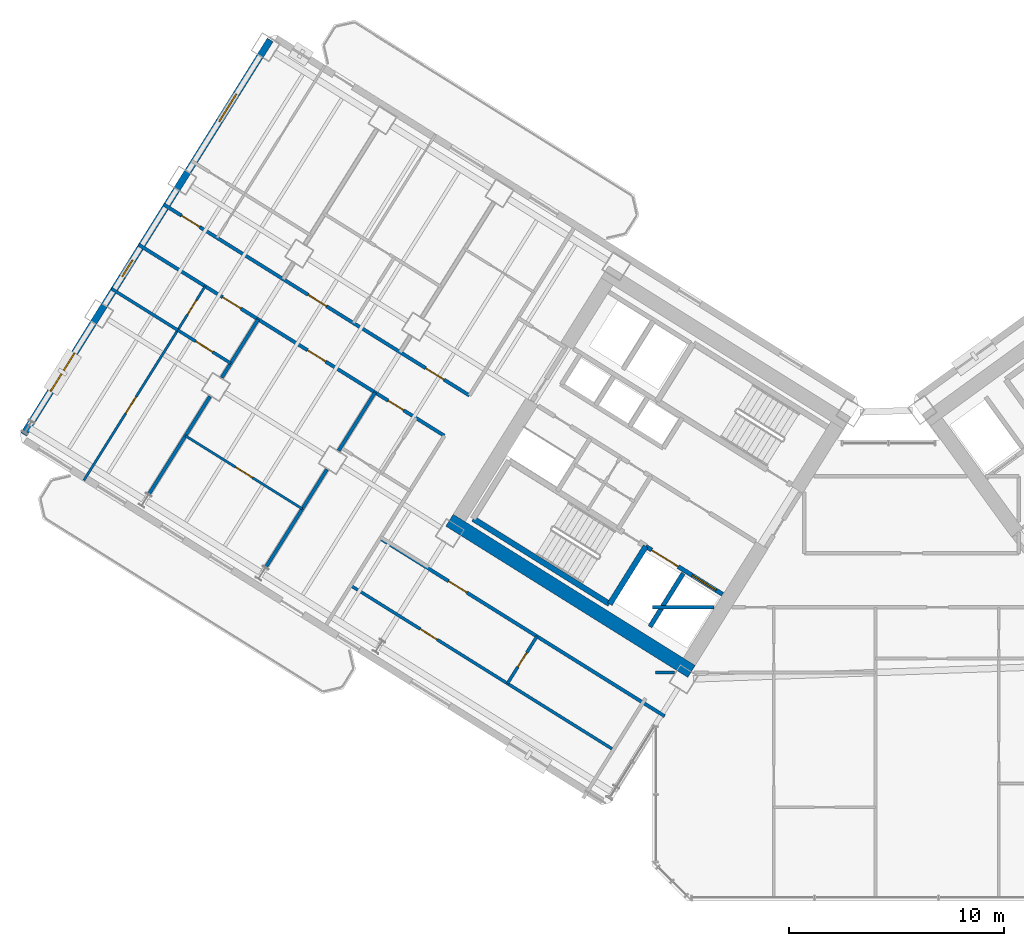
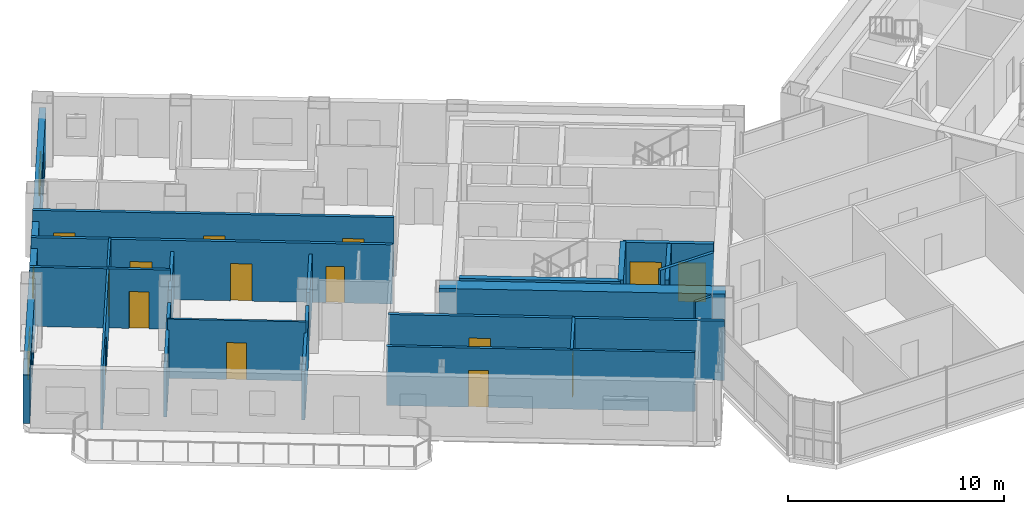
# One storey, part 15 of 25: 21 walls, 15 doors, 3 windows, 18 openings.
"""IFC4 building model written with IfcOpenShell, lengths in metres."""

from ifc_helpers import new_model, si_unit, direction, frame, frame_2d, origin, place, context, subcontext, project, spatial, rectangle, extrude, source, transform, mapped, material, layer, layer_set, type_object, element, fill, save


model = new_model("IFC4")

# Units and contexts
model_context = context("Model", 3, precision=1e-05, world=origin(), true_north=direction((0.0, 1.0)))
body_context = subcontext(model_context, "Body", "Model", "MODEL_VIEW")
ifc_project = project(units=[si_unit("LENGTHUNIT", "METRE"), si_unit("AREAUNIT", "SQUARE_METRE"), si_unit("VOLUMEUNIT", "CUBIC_METRE"), si_unit("PLANEANGLEUNIT", "RADIAN"), si_unit("MASSUNIT", "GRAM", prefix="KILO")], contexts=[model_context])

# Site, building, storey
site_placement = place(None, origin())
site = spatial("IfcSite", under=ifc_project, at=site_placement, CompositionType="ELEMENT")
building_placement = place(site_placement, origin())
building = spatial("IfcBuilding", under=site, at=building_placement, Name="Tlacorven Tower", CompositionType="ELEMENT")
storey_placement = place(building_placement, frame((0.0, 0.0, 52.800048828125)))
storey = spatial("IfcBuildingStorey", under=building, at=storey_placement, Name="L13", CompositionType="ELEMENT", Elevation=52.800048828125)

# Wall
ifc_material_1 = material(Name="Concrete C60/75", Category="concrete")
ifc_layer_1 = layer(ifc_material_1, 0.64990234375)
ifc_layer_set_1 = layer_set([ifc_layer_1], Name="Concrete C60/75")
wall_type_1 = type_object("IfcWallType", Name="WL-COR-650", PredefinedType="SHEAR", material=ifc_layer_set_1)
wall_1_placement = place(storey_placement, frame((33.40869140625, 12.449951171875, 0.0), z_axis=(0.0, 0.0, 1.0), x_axis=(-0.848051132073, 0.529914405721, 0.0)))
element("IfcWall", 1, at=wall_1_placement, inside=storey, type_object=wall_type_1, Name="L13 W core shear wall S2", PredefinedType="SHEAR", context=body_context, shape_type="SweptSolid", body=[
    extrude(rectangle(XDim=13.239990234375, YDim=0.64990234375, at=frame_2d((6.6201171875, 0.0))), origin(), (0.0, 0.0, 1.0), 3.349853515625),
])

# Wall, openings, doors
ifc_material_2 = material(Name="Gypsum plasterboard acoustic partition", Category="gypsum")
ifc_layer_2 = layer(ifc_material_2, 0.159912109375)
ifc_layer_set_2 = layer_set([ifc_layer_2], Name="Gypsum plasterboard acoustic partition")
wall_type_2 = type_object("IfcWallType", Name="WL-DEM-160", PredefinedType="PARTITIONING", material=ifc_layer_set_2)
wall_2_placement = place(storey_placement, frame((23.104248046875, 25.25634765625, 0.0), z_axis=(0.0, 0.0, 1.0), x_axis=(-0.848041752158, 0.529929416617, 0.0)))
wall_2 = element("IfcWall", 2, at=wall_2_placement, inside=storey, type_object=wall_type_2, Name="L13 Wing W Corridor South Wall", PredefinedType="PARTITIONING", context=body_context, shape_type="SweptSolid", body=[
    extrude(rectangle(XDim=16.72998046875, YDim=0.159912109375, at=frame_2d((8.364990234375, 0.0))), origin(), (0.0, 0.0, 1.0), 3.33984375),
])
opening_1_placement = place(wall_2_placement, frame((1.39501953125, 0.0, 0.0)))
opening_1 = element("IfcOpeningElement", 3, at=opening_1_placement, cuts=wall_2, Name="Opening D11", PredefinedType="OPENING", context=body_context, shape_type="SweptSolid", body=[
    extrude(rectangle(XDim=1.0, YDim=2.10009765625, at=frame_2d((0.5, 1.050048828125))), frame((0.0, 0.08984375, 0.0), z_axis=(0.0, -1.0, 0.0), x_axis=(1.0, 0.0, 0.0)), (0.0, 0.0, 1.0), 0.179931640625),
])
opening_2_placement = place(wall_2_placement, frame((7.820068359375, 0.0, 0.0)))
opening_2 = element("IfcOpeningElement", 4, at=opening_2_placement, cuts=wall_2, Name="Opening D11", PredefinedType="OPENING", context=body_context, shape_type="SweptSolid", body=[
    extrude(rectangle(XDim=1.0, YDim=2.10009765625, at=frame_2d((0.5, 1.050048828125))), frame((0.0, 0.08984375, 0.0), z_axis=(0.0, -1.0, 0.0), x_axis=(1.0, 0.0, 0.0)), (0.0, 0.0, 1.0), 0.179931640625),
])
opening_3_placement = place(wall_2_placement, frame((14.760009765625, 0.0, 0.0)))
opening_3 = element("IfcOpeningElement", 5, at=opening_3_placement, cuts=wall_2, Name="Opening D11", PredefinedType="OPENING", context=body_context, shape_type="SweptSolid", body=[
    extrude(rectangle(XDim=1.0, YDim=2.10009765625, at=frame_2d((0.5, 1.050048828125))), frame((0.0, 0.08984375, 0.0), z_axis=(0.0, -1.0, 0.0), x_axis=(1.0, 0.0, 0.0)), (0.0, 0.0, 1.0), 0.179931640625),
])
ifc_material_3 = material(Name="Fire-rated steel door assembly", Category="steel")
door_type_1 = type_object("IfcDoorType", Name="DR-FLT-FD60-1000", OperationType="NOTDEFINED", PredefinedType="DOOR", material=ifc_material_3)
shared_shape_1 = source(origin(), body_context, "Body", "SweptSolid", [
    extrude(rectangle(XDim=1.0, YDim=2.10009765625, at=frame_2d((0.5, 1.050048828125))), frame((0.0, 0.02490234375, 0.0), z_axis=(0.0, -1.0, 0.0), x_axis=(1.0, 0.0, 0.0)), (0.0, 0.0, 1.0), 0.050048828125),
])
door_1_placement = place(opening_1_placement, origin())
door_1 = element("IfcDoor", 6, at=door_1_placement, inside=storey, type_object=door_type_1, Name="L13 door 033", OperationType="SINGLE_SWING_RIGHT", OverallHeight=2.10009765625, OverallWidth=1.0, PredefinedType="DOOR", context=body_context, shape_type="MappedRepresentation", body=[
    mapped(shared_shape_1, transform((0.0, 0.0, 0.0), scale=1.0)),
])
fill(opening_1, door_1)
door_2_placement = place(opening_2_placement, origin())
door_2 = element("IfcDoor", 7, at=door_2_placement, inside=storey, type_object=door_type_1, Name="L13 door 036", OperationType="SINGLE_SWING_LEFT", OverallHeight=2.10009765625, OverallWidth=1.0, PredefinedType="DOOR", context=body_context, shape_type="MappedRepresentation", body=[
    mapped(shared_shape_1, transform((0.0, 0.0, 0.0), scale=1.0)),
])
fill(opening_2, door_2)
door_3_placement = place(opening_3_placement, origin())
door_3 = element("IfcDoor", 8, at=door_3_placement, inside=storey, type_object=door_type_1, Name="L13 door 040", OperationType="SINGLE_SWING_LEFT", OverallHeight=2.10009765625, OverallWidth=1.0, PredefinedType="DOOR", context=body_context, shape_type="MappedRepresentation", body=[
    mapped(shared_shape_1, transform((0.0, 0.0, 0.0), scale=1.0)),
])
fill(opening_3, door_3)

wall_3_placement = place(storey_placement, frame((21.9384765625, 23.390625, 0.0), z_axis=(0.0, 0.0, 1.0), x_axis=(-0.848045850158, 0.529922858565, 0.0)))
wall_3 = element("IfcWall", 9, at=wall_3_placement, inside=storey, type_object=wall_type_2, Name="L13 Wing W Corridor North Wall", PredefinedType="PARTITIONING", context=body_context, shape_type="SweptSolid", body=[
    extrude(rectangle(XDim=16.730224609375, YDim=0.159912109375, at=frame_2d((8.365234375, 0.0))), origin(), (0.0, 0.0, 1.0), 3.33984375),
])
opening_4_placement = place(wall_3_placement, frame((2.219970703125, 0.0, 0.0)))
opening_4 = element("IfcOpeningElement", 10, at=opening_4_placement, cuts=wall_3, Name="Opening D19", PredefinedType="OPENING", context=body_context, shape_type="SweptSolid", body=[
    extrude(rectangle(XDim=0.860107421875, YDim=2.050048828125, at=frame_2d((0.43017578125, 1.02490234375))), frame((0.0, 0.08984375, 0.0), z_axis=(0.0, -1.0, 0.0), x_axis=(1.0, 0.0, 0.0)), (0.0, 0.0, 1.0), 0.179931640625),
])
opening_5_placement = place(wall_3_placement, frame((6.489990234375, 0.0, 0.0)))
opening_5 = element("IfcOpeningElement", 11, at=opening_5_placement, cuts=wall_3, Name="Opening D11", PredefinedType="OPENING", context=body_context, shape_type="SweptSolid", body=[
    extrude(rectangle(XDim=1.0, YDim=2.10009765625, at=frame_2d((0.5, 1.050048828125))), frame((0.0, 0.08984375, 0.0), z_axis=(0.0, -1.0, 0.0), x_axis=(1.0, 0.0, 0.0)), (0.0, 0.0, 1.0), 0.179931640625),
])
opening_6_placement = place(wall_3_placement, frame((11.139892578125, 0.0, 0.0)))
opening_6 = element("IfcOpeningElement", 12, at=opening_6_placement, cuts=wall_3, Name="Opening D11", PredefinedType="OPENING", context=body_context, shape_type="SweptSolid", body=[
    extrude(rectangle(XDim=1.0, YDim=2.10009765625, at=frame_2d((0.5, 1.050048828125))), frame((0.0, 0.08984375, 0.0), z_axis=(0.0, -1.0, 0.0), x_axis=(1.0, 0.0, 0.0)), (0.0, 0.0, 1.0), 0.179931640625),
])
door_type_2 = type_object("IfcDoorType", Name="DR-RSR-FD60-0860", OperationType="NOTDEFINED", PredefinedType="DOOR", material=ifc_material_3)
shared_shape_2 = source(origin(), body_context, "Body", "SweptSolid", [
    extrude(rectangle(XDim=0.860107421875, YDim=2.050048828125, at=frame_2d((0.43017578125, 1.02490234375))), frame((0.0, 0.02490234375, 0.0), z_axis=(0.0, -1.0, 0.0), x_axis=(1.0, 0.0, 0.0)), (0.0, 0.0, 1.0), 0.050048828125),
])
door_4_placement = place(opening_4_placement, origin())
door_4 = element("IfcDoor", 13, at=door_4_placement, inside=storey, type_object=door_type_2, Name="L13 door 023", OperationType="SINGLE_SWING_RIGHT", OverallHeight=2.050048828125, OverallWidth=0.860107421875, PredefinedType="DOOR", context=body_context, shape_type="MappedRepresentation", body=[
    mapped(shared_shape_2, transform((0.0, 0.0, 0.0), scale=1.0)),
])
fill(opening_4, door_4)
door_5_placement = place(opening_5_placement, origin())
door_5 = element("IfcDoor", 14, at=door_5_placement, inside=storey, type_object=door_type_1, Name="L13 door 026", OperationType="SINGLE_SWING_LEFT", OverallHeight=2.10009765625, OverallWidth=1.0, PredefinedType="DOOR", context=body_context, shape_type="MappedRepresentation", body=[
    mapped(shared_shape_1, transform((0.0, 0.0, 0.0), scale=1.0)),
])
fill(opening_5, door_5)
door_6_placement = place(opening_6_placement, origin())
door_6 = element("IfcDoor", 15, at=door_6_placement, inside=storey, type_object=door_type_1, Name="L13 door 029", OperationType="SINGLE_SWING_RIGHT", OverallHeight=2.10009765625, OverallWidth=1.0, PredefinedType="DOOR", context=body_context, shape_type="MappedRepresentation", body=[
    mapped(shared_shape_1, transform((0.0, 0.0, 0.0), scale=1.0)),
])
fill(opening_6, door_6)

# Walls
wall_4_placement = place(storey_placement, frame((18.724365234375, 25.399169921875, 0.0), z_axis=(0.0, 0.0, 1.0), x_axis=(-0.529930102756, -0.848041323399, 0.0)))
element("IfcWall", 16, at=wall_4_placement, inside=storey, type_object=wall_type_2, Name="L13 WN Demising Wall 1", PredefinedType="PARTITIONING", context=body_context, shape_type="SweptSolid", body=[
    extrude(rectangle(XDim=3.18798828125, YDim=0.159912109375, at=frame_2d((1.593994140625, 0.0))), origin(), (0.0, 0.0, 1.0), 2.724853515625),
])
wall_5_placement = place(storey_placement, frame((16.4921875, 21.8271484375, 0.0), z_axis=(0.0, 0.0, 1.0), x_axis=(-0.529904608059, -0.848057254175, 0.0)))
element("IfcWall", 17, at=wall_5_placement, inside=storey, type_object=wall_type_2, Name="L13 WN Demising Wall 1", PredefinedType="PARTITIONING", context=body_context, shape_type="SweptSolid", body=[
    extrude(rectangle(XDim=5.350830078125, YDim=0.159912109375, at=frame_2d((2.67529296875, 0.0))), origin(), (0.0, 0.0, 1.0), 2.724853515625),
])
wall_6_placement = place(storey_placement, frame((13.296875, 28.79052734375, 0.0), z_axis=(0.0, 0.0, 1.0), x_axis=(-0.529930102756, -0.848041323399, 0.0)))
element("IfcWall", 18, at=wall_6_placement, inside=storey, type_object=wall_type_2, Name="L13 WN Demising Wall 2", PredefinedType="PARTITIONING", context=body_context, shape_type="SweptSolid", body=[
    extrude(rectangle(XDim=3.18798828125, YDim=0.159912109375, at=frame_2d((1.593994140625, 0.0))), origin(), (0.0, 0.0, 1.0), 2.724853515625),
])
wall_7_placement = place(storey_placement, frame((11.064697265625, 25.218505859375, 0.0), z_axis=(0.0, 0.0, 1.0), x_axis=(-0.529904608059, -0.848057254175, 0.0)))
element("IfcWall", 19, at=wall_7_placement, inside=storey, type_object=wall_type_2, Name="L13 WN Demising Wall 2", PredefinedType="PARTITIONING", context=body_context, shape_type="SweptSolid", body=[
    extrude(rectangle(XDim=5.350830078125, YDim=0.159912109375, at=frame_2d((2.67529296875, 0.0))), origin(), (0.0, 0.0, 1.0), 2.724853515625),
])

# Wall, opening, door
wall_8_placement = place(storey_placement, frame((32.164306640625, 10.373779296875, 0.0), z_axis=(0.0, 0.0, 1.0), x_axis=(-0.848044107957, 0.529925646633, 0.0)))
wall_8 = element("IfcWall", 20, at=wall_8_placement, inside=storey, type_object=wall_type_2, Name="L13 partition 75", PredefinedType="PARTITIONING", context=body_context, shape_type="SweptSolid", body=[
    extrude(rectangle(XDim=15.570068359375, YDim=0.159912109375, at=frame_2d((7.78515625, 0.0))), origin(), (0.0, 0.0, 1.0), 3.33984375),
])
opening_7_placement = place(wall_8_placement, frame((10.830078125, 0.0, 0.0)))
opening_7 = element("IfcOpeningElement", 21, at=opening_7_placement, cuts=wall_8, Name="Opening D11", PredefinedType="OPENING", context=body_context, shape_type="SweptSolid", body=[
    extrude(rectangle(XDim=1.0, YDim=2.10009765625, at=frame_2d((0.5, 1.050048828125))), frame((0.0, 0.08984375, 0.0), z_axis=(0.0, -1.0, 0.0), x_axis=(1.0, 0.0, 0.0)), (0.0, 0.0, 1.0), 0.179931640625),
])
door_7_placement = place(opening_7_placement, origin())
door_7 = element("IfcDoor", 22, at=door_7_placement, inside=storey, type_object=door_type_1, Name="L13 door 044", OperationType="SINGLE_SWING_LEFT", OverallHeight=2.10009765625, OverallWidth=1.0, PredefinedType="DOOR", context=body_context, shape_type="MappedRepresentation", body=[
    mapped(shared_shape_1, transform((0.0, 0.0, 0.0), scale=1.0)),
])
fill(opening_7, door_7)

# Wall
wall_9_placement = place(storey_placement, frame((31.60009765625, 15.419921875, 0.0), z_axis=(0.0, 0.0, 1.0), x_axis=(1.0, 0.0, 0.0)))
element("IfcWall", 23, at=wall_9_placement, inside=storey, type_object=wall_type_2, Name="L13 Knuckle Corridor South Wall", PredefinedType="PARTITIONING", context=body_context, shape_type="SweptSolid", body=[
    extrude(rectangle(XDim=2.8662109375, YDim=0.159912109375, at=frame_2d((1.43310546875, 0.0))), origin(), (0.0, 0.0, 1.0), 3.33984375),
])

# Wall, openings, windows
ifc_material_4 = material(Name="Precast concrete C45/55", Category="concrete")
ifc_layer_3 = layer(ifc_material_4, 0.320068359375)
ifc_layer_set_3 = layer_set([ifc_layer_3], Name="Precast concrete C45/55")
wall_type_3 = type_object("IfcWallType", Name="WL-EXT-320", PredefinedType="STANDARD", material=ifc_layer_set_3)
wall_10_placement = place(storey_placement, frame((2.41455078125, 23.452392578125, 0.0), z_axis=(0.0, 0.0, 1.0), x_axis=(0.52991049553, 0.848053575387, 0.0)))
wall_10 = element("IfcWall", 24, at=wall_10_placement, inside=storey, type_object=wall_type_3, Name="L13 Masonry-Frame Recessed Facade Wall 2", PredefinedType="STANDARD", context=body_context, shape_type="SweptSolid", body=[
    extrude(rectangle(XDim=21.58740234375, YDim=0.320068359375, at=frame_2d((10.793701171875, 0.0))), origin(), (0.0, 0.0, 1.0), 2.724853515625),
])
opening_8_placement = place(wall_10_placement, frame((2.356201171875, 0.0, 0.800048828125)))
opening_8 = element("IfcOpeningElement", 25, at=opening_8_placement, cuts=wall_10, Name="Opening WN04", PredefinedType="OPENING", context=body_context, shape_type="SweptSolid", body=[
    extrude(rectangle(XDim=2.10009765625, YDim=1.550048828125, at=frame_2d((1.050048828125, 0.77490234375))), frame((0.0, 0.169921875, 0.0), z_axis=(0.0, -1.0, 0.0), x_axis=(1.0, 0.0, 0.0)), (0.0, 0.0, 1.0), 0.340087890625),
])
opening_9_placement = place(wall_10_placement, frame((8.638671875, 0.0, 1.0)))
opening_9 = element("IfcOpeningElement", 26, at=opening_9_placement, cuts=wall_10, Name="Opening WN05", PredefinedType="OPENING", context=body_context, shape_type="SweptSolid", body=[
    extrude(rectangle(XDim=0.89990234375, YDim=1.25, at=frame_2d((0.449951171875, 0.625))), frame((0.0, 0.169921875, 0.0), z_axis=(0.0, -1.0, 0.0), x_axis=(1.0, 0.0, 0.0)), (0.0, 0.0, 1.0), 0.340087890625),
])
opening_10_placement = place(wall_10_placement, frame((17.128662109375, 0.0, 0.85009765625)))
opening_10 = element("IfcOpeningElement", 27, at=opening_10_placement, cuts=wall_10, Name="Opening WN02", PredefinedType="OPENING", context=body_context, shape_type="SweptSolid", body=[
    extrude(rectangle(XDim=1.5, YDim=1.5, at=frame_2d((0.75, 0.75))), frame((0.0, 0.169921875, 0.0), z_axis=(0.0, -1.0, 0.0), x_axis=(1.0, 0.0, 0.0)), (0.0, 0.0, 1.0), 0.340087890625),
])
ifc_material_5 = material(Name="Dark solar low-E double glazing in anodised aluminium frame", Category="aluminium")
window_type_1 = type_object("IfcWindowType", Name="WN-APT-2100X1750", PartitioningType="SINGLE_PANEL", PredefinedType="WINDOW", material=ifc_material_5)
shared_shape_3 = source(origin(), body_context, "Body", "SweptSolid", [
    extrude(rectangle(XDim=2.10009765625, YDim=1.550048828125, at=frame_2d((1.050048828125, 0.77490234375))), frame((0.0, 0.030029296875, 0.0), z_axis=(0.0, -1.0, 0.0), x_axis=(1.0, 0.0, 0.0)), (0.0, 0.0, 1.0), 0.06005859375),
])
window_1_placement = place(opening_8_placement, origin())
window_1 = element("IfcWindow", 28, at=window_1_placement, inside=storey, type_object=window_type_1, Name="L13 Recessed Masonry-Frame Window L13-02.1", OverallHeight=1.550048828125, OverallWidth=2.10009765625, PartitioningType="SINGLE_PANEL", PredefinedType="WINDOW", context=body_context, shape_type="MappedRepresentation", body=[
    mapped(shared_shape_3, transform((0.0, 0.0, 0.0), scale=1.0)),
])
fill(opening_8, window_1)
window_type_2 = type_object("IfcWindowType", Name="WN-APT-1500X1650", PartitioningType="SINGLE_PANEL", PredefinedType="WINDOW", material=ifc_material_5)
shared_shape_4 = source(origin(), body_context, "Body", "SweptSolid", [
    extrude(rectangle(XDim=1.5, YDim=1.5, at=frame_2d((0.75, 0.75))), frame((0.0, 0.030029296875, 0.0), z_axis=(0.0, -1.0, 0.0), x_axis=(1.0, 0.0, 0.0)), (0.0, 0.0, 1.0), 0.06005859375),
])
window_2_placement = place(opening_10_placement, origin())
window_2 = element("IfcWindow", 29, at=window_2_placement, inside=storey, type_object=window_type_2, Name="L13 Recessed Masonry-Frame Window L13-02.3", OverallHeight=1.5, OverallWidth=1.5, PartitioningType="SINGLE_PANEL", PredefinedType="WINDOW", context=body_context, shape_type="MappedRepresentation", body=[
    mapped(shared_shape_4, transform((0.0, 0.0, 0.0), scale=1.0)),
])
fill(opening_10, window_2)
window_type_3 = type_object("IfcWindowType", Name="WN-APT-0900X1350", PartitioningType="SINGLE_PANEL", PredefinedType="WINDOW", material=ifc_material_5)
shared_shape_5 = source(origin(), body_context, "Body", "SweptSolid", [
    extrude(rectangle(XDim=0.89990234375, YDim=1.25, at=frame_2d((0.449951171875, 0.625))), frame((0.0, 0.030029296875, 0.0), z_axis=(0.0, -1.0, 0.0), x_axis=(1.0, 0.0, 0.0)), (0.0, 0.0, 1.0), 0.06005859375),
])
window_3_placement = place(opening_9_placement, origin())
window_3 = element("IfcWindow", 30, at=window_3_placement, inside=storey, type_object=window_type_3, Name="L13 Recessed Masonry-Frame Window L13-02.2", OverallHeight=1.25, OverallWidth=0.89990234375, PartitioningType="SINGLE_PANEL", PredefinedType="WINDOW", context=body_context, shape_type="MappedRepresentation", body=[
    mapped(shared_shape_5, transform((0.0, 0.0, 0.0), scale=1.0)),
])
fill(opening_9, window_3)

# Wall, opening, door
ifc_material_6 = material(Name="Gypsum plasterboard partition", Category="gypsum")
ifc_layer_4 = layer(ifc_material_6, 0.110107421875)
ifc_layer_set_4 = layer_set([ifc_layer_4], Name="Gypsum plasterboard partition")
wall_type_4 = type_object("IfcWallType", Name="WL-INT-110", PredefinedType="PARTITIONING", material=ifc_layer_set_4)
wall_11_placement = place(storey_placement, frame((15.34765625, 19.995361328125, 0.0), z_axis=(0.0, 0.0, 1.0), x_axis=(-0.848056163074, 0.529906354247, 0.0)))
wall_11 = element("IfcWall", 31, at=wall_11_placement, inside=storey, type_object=wall_type_4, Name="L13 partition 60", PredefinedType="PARTITIONING", context=body_context, shape_type="SweptSolid", body=[
    extrude(rectangle(XDim=6.39990234375, YDim=0.110107421875, at=frame_2d((3.199951171875, 0.0))), origin(), (0.0, 0.0, 1.0), 3.33984375),
])
opening_11_placement = place(wall_11_placement, frame((2.739990234375, 0.0, 0.0)))
opening_11 = element("IfcOpeningElement", 32, at=opening_11_placement, cuts=wall_11, Name="Opening D12", PredefinedType="OPENING", context=body_context, shape_type="SweptSolid", body=[
    extrude(rectangle(XDim=0.919921875, YDim=2.080078125, at=frame_2d((0.4599609375, 1.0400390625))), frame((0.0, 0.06494140625, 0.0), z_axis=(0.0, -1.0, 0.0), x_axis=(1.0, 0.0, 0.0)), (0.0, 0.0, 1.0), 0.130126953125),
])
ifc_material_7 = material(Name="Powder-coated aluminium and timber door", Category="wood")
door_type_3 = type_object("IfcDoorType", Name="DR-INT-ROOM-0920", OperationType="NOTDEFINED", PredefinedType="DOOR", material=ifc_material_7)
shared_shape_6 = source(origin(), body_context, "Body", "SweptSolid", [
    extrude(rectangle(XDim=0.919921875, YDim=2.080078125, at=frame_2d((0.4599609375, 1.0400390625))), frame((0.0, 0.02490234375, 0.0), z_axis=(0.0, -1.0, 0.0), x_axis=(1.0, 0.0, 0.0)), (0.0, 0.0, 1.0), 0.050048828125),
])
door_8_placement = place(opening_11_placement, origin())
door_8 = element("IfcDoor", 33, at=door_8_placement, inside=storey, type_object=door_type_3, Name="L13 door 027", OperationType="SINGLE_SWING_RIGHT", OverallHeight=2.080078125, OverallWidth=0.919921875, PredefinedType="DOOR", context=body_context, shape_type="MappedRepresentation", body=[
    mapped(shared_shape_6, transform((0.0, 0.0, 0.0), scale=1.0)),
])
fill(opening_11, door_8)

# Wall, openings, doors
wall_12_placement = place(storey_placement, frame((10.83740234375, 30.327392578125, 0.0), z_axis=(0.0, 0.0, 1.0), x_axis=(-0.529912148489, -0.848052542525, 0.0)))
wall_12 = element("IfcWall", 34, at=wall_12_placement, inside=storey, type_object=wall_type_4, Name="L13 partition 61", PredefinedType="PARTITIONING", context=body_context, shape_type="SweptSolid", body=[
    extrude(rectangle(XDim=10.6201171875, YDim=0.110107421875, at=frame_2d((5.31005859375, 0.0))), origin(), (0.0, 0.0, 1.0), 3.33984375),
])
opening_12_placement = place(wall_12_placement, frame((0.760009765625, 0.0, 0.0)))
opening_12 = element("IfcOpeningElement", 35, at=opening_12_placement, cuts=wall_12, Name="Opening D22", PredefinedType="OPENING", context=body_context, shape_type="SweptSolid", body=[
    extrude(rectangle(XDim=0.780029296875, YDim=2.050048828125, at=frame_2d((0.39013671875, 1.02490234375))), frame((0.0, 0.06494140625, 0.0), z_axis=(0.0, -1.0, 0.0), x_axis=(1.0, 0.0, 0.0)), (0.0, 0.0, 1.0), 0.130126953125),
])
opening_13_placement = place(wall_12_placement, frame((6.050048828125, 0.0, 0.0)))
opening_13 = element("IfcOpeningElement", 36, at=opening_13_placement, cuts=wall_12, Name="Opening D12", PredefinedType="OPENING", context=body_context, shape_type="SweptSolid", body=[
    extrude(rectangle(XDim=0.919921875, YDim=2.080078125, at=frame_2d((0.4599609375, 1.0400390625))), frame((0.0, 0.06494140625, 0.0), z_axis=(0.0, -1.0, 0.0), x_axis=(1.0, 0.0, 0.0)), (0.0, 0.0, 1.0), 0.130126953125),
])
door_type_4 = type_object("IfcDoorType", Name="DR-INT-WET-0780", OperationType="NOTDEFINED", PredefinedType="DOOR", material=ifc_material_7)
shared_shape_7 = source(origin(), body_context, "Body", "SweptSolid", [
    extrude(rectangle(XDim=0.780029296875, YDim=2.050048828125, at=frame_2d((0.39013671875, 1.02490234375))), frame((0.0, 0.02490234375, 0.0), z_axis=(0.0, -1.0, 0.0), x_axis=(1.0, 0.0, 0.0)), (0.0, 0.0, 1.0), 0.050048828125),
])
door_9_placement = place(opening_12_placement, origin())
door_9 = element("IfcDoor", 37, at=door_9_placement, inside=storey, type_object=door_type_4, Name="L13 door 031", OperationType="SINGLE_SWING_RIGHT", OverallHeight=2.050048828125, OverallWidth=0.780029296875, PredefinedType="DOOR", context=body_context, shape_type="MappedRepresentation", body=[
    mapped(shared_shape_7, transform((0.0, 0.0, 0.0), scale=1.0)),
])
fill(opening_12, door_9)
door_10_placement = place(opening_13_placement, origin())
door_10 = element("IfcDoor", 38, at=door_10_placement, inside=storey, type_object=door_type_3, Name="L13 door 032", OperationType="SINGLE_SWING_LEFT", OverallHeight=2.080078125, OverallWidth=0.919921875, PredefinedType="DOOR", context=body_context, shape_type="MappedRepresentation", body=[
    mapped(shared_shape_6, transform((0.0, 0.0, 0.0), scale=1.0)),
])
fill(opening_13, door_10)

# Wall, opening, door
ifc_material_8 = material(Name="Moisture-resistant gypsum plumbing wall", Category="gypsum")
ifc_layer_5 = layer(ifc_material_8, 0.139892578125)
ifc_layer_set_5 = layer_set([ifc_layer_5], Name="Moisture-resistant gypsum plumbing wall")
wall_type_5 = type_object("IfcWallType", Name="WL-PLM-140", PredefinedType="PLUMBINGWALL", material=ifc_layer_set_5)
wall_13_placement = place(storey_placement, frame((12.02490234375, 26.75537109375, 0.0), z_axis=(0.0, 0.0, 1.0), x_axis=(-0.848059786386, 0.529900555496, 0.0)))
wall_13 = element("IfcWall", 39, at=wall_13_placement, inside=storey, type_object=wall_type_5, Name="L13 partition 63", PredefinedType="PLUMBINGWALL", context=body_context, shape_type="SweptSolid", body=[
    extrude(rectangle(XDim=2.89990234375, YDim=0.139892578125, at=frame_2d((1.449951171875, 0.0))), origin(), (0.0, 0.0, 1.0), 3.33984375),
])
opening_14_placement = place(wall_13_placement, frame((0.989990234375, 0.0, 0.0)))
opening_14 = element("IfcOpeningElement", 40, at=opening_14_placement, cuts=wall_13, Name="Opening D12", PredefinedType="OPENING", context=body_context, shape_type="SweptSolid", body=[
    extrude(rectangle(XDim=0.919921875, YDim=2.080078125, at=frame_2d((0.4599609375, 1.0400390625))), frame((0.0, 0.080078125, 0.0), z_axis=(0.0, -1.0, 0.0), x_axis=(1.0, 0.0, 0.0)), (0.0, 0.0, 1.0), 0.159912109375),
])
door_11_placement = place(opening_14_placement, origin())
door_11 = element("IfcDoor", 41, at=door_11_placement, inside=storey, type_object=door_type_3, Name="L13 door 030", OperationType="SINGLE_SWING_RIGHT", OverallHeight=2.080078125, OverallWidth=0.919921875, PredefinedType="DOOR", context=body_context, shape_type="MappedRepresentation", body=[
    mapped(shared_shape_6, transform((0.0, 0.0, 0.0), scale=1.0)),
])
fill(opening_14, door_11)

# Wall
wall_14_placement = place(storey_placement, frame((9.565673828125, 28.2919921875, 0.0), z_axis=(0.0, 0.0, 1.0), x_axis=(-0.848021036626, 0.529962566074, 0.0)))
element("IfcWall", 42, at=wall_14_placement, inside=storey, type_object=wall_type_5, Name="L13 partition 64", PredefinedType="PLUMBINGWALL", context=body_context, shape_type="SweptSolid", body=[
    extrude(rectangle(XDim=3.619873046875, YDim=0.139892578125, at=frame_2d((1.81005859375, 0.0))), origin(), (0.0, 0.0, 1.0), 3.33984375),
])

# Wall, opening, door
wall_15_placement = place(storey_placement, frame((29.72021484375, 8.85888671875, 0.0), z_axis=(0.0, 0.0, 1.0), x_axis=(-0.848049134363, 0.529917602752, 0.0)))
wall_15 = element("IfcWall", 43, at=wall_15_placement, inside=storey, type_object=wall_type_5, Name="L13 partition 77", PredefinedType="PLUMBINGWALL", context=body_context, shape_type="SweptSolid", body=[
    extrude(rectangle(XDim=14.300048828125, YDim=0.139892578125, at=frame_2d((7.14990234375, 0.0))), origin(), (0.0, 0.0, 1.0), 3.33984375),
])
opening_15_placement = place(wall_15_placement, frame((9.570068359375, 0.0, 0.0)))
opening_15 = element("IfcOpeningElement", 44, at=opening_15_placement, cuts=wall_15, Name="Opening D12", PredefinedType="OPENING", context=body_context, shape_type="SweptSolid", body=[
    extrude(rectangle(XDim=0.919921875, YDim=2.080078125, at=frame_2d((0.4599609375, 1.0400390625))), frame((0.0, 0.080078125, 0.0), z_axis=(0.0, -1.0, 0.0), x_axis=(1.0, 0.0, 0.0)), (0.0, 0.0, 1.0), 0.159912109375),
])
door_12_placement = place(opening_15_placement, origin())
door_12 = element("IfcDoor", 45, at=door_12_placement, inside=storey, type_object=door_type_3, Name="L13 door 045", OperationType="SINGLE_SWING_RIGHT", OverallHeight=2.080078125, OverallWidth=0.919921875, PredefinedType="DOOR", context=body_context, shape_type="MappedRepresentation", body=[
    mapped(shared_shape_6, transform((0.0, 0.0, 0.0), scale=1.0)),
])
fill(opening_15, door_12)

wall_16_placement = place(storey_placement, frame((26.236572265625, 14.077880859375, 0.0), z_axis=(0.0, 0.0, 1.0), x_axis=(-0.52995640672, -0.848024885824, 0.0)))
wall_16 = element("IfcWall", 46, at=wall_16_placement, inside=storey, type_object=wall_type_5, Name="L13 partition 78", PredefinedType="PLUMBINGWALL", context=body_context, shape_type="SweptSolid", body=[
    extrude(rectangle(XDim=2.579833984375, YDim=0.139892578125, at=frame_2d((1.2900390625, 0.0))), origin(), (0.0, 0.0, 1.0), 3.33984375),
])
opening_16_placement = place(wall_16_placement, frame((0.89990234375, 0.0, 0.0)))
opening_16 = element("IfcOpeningElement", 47, at=opening_16_placement, cuts=wall_16, Name="Opening D22", PredefinedType="OPENING", context=body_context, shape_type="SweptSolid", body=[
    extrude(rectangle(XDim=0.780029296875, YDim=2.050048828125, at=frame_2d((0.39013671875, 1.02490234375))), frame((0.0, 0.080078125, 0.0), z_axis=(0.0, -1.0, 0.0), x_axis=(1.0, 0.0, 0.0)), (0.0, 0.0, 1.0), 0.159912109375),
])
door_13_placement = place(opening_16_placement, origin())
door_13 = element("IfcDoor", 48, at=door_13_placement, inside=storey, type_object=door_type_4, Name="L13 door 046", OperationType="SINGLE_SWING_LEFT", OverallHeight=2.050048828125, OverallWidth=0.780029296875, PredefinedType="DOOR", context=body_context, shape_type="MappedRepresentation", body=[
    mapped(shared_shape_7, transform((0.0, 0.0, 0.0), scale=1.0)),
])
fill(opening_16, door_13)

# Wall
wall_17_placement = place(storey_placement, frame((31.739990234375, 12.389892578125, 0.0), z_axis=(0.0, 0.0, 1.0), x_axis=(1.0, 0.0, 0.0)))
element("IfcWall", 49, at=wall_17_placement, inside=storey, type_object=wall_type_5, Name="L13 partition 88", PredefinedType="PLUMBINGWALL", context=body_context, shape_type="SweptSolid", body=[
    extrude(rectangle(XDim=0.891845703125, YDim=0.139892578125, at=frame_2d((0.44580078125, 0.0))), origin(), (0.0, 0.0, 1.0), 3.33984375),
])

# Wall, openings, doors
ifc_material_9 = material(Name="Concrete C40/50", Category="concrete")
ifc_layer_6 = layer(ifc_material_9, 0.199951171875)
ifc_layer_set_6 = layer_set([ifc_layer_6], Name="Concrete C40/50")
wall_type_6 = type_object("IfcWallType", Name="WL-SHF-200", PredefinedType="STANDARD", material=ifc_layer_set_6)
wall_18_placement = place(storey_placement, frame((34.84814453125, 16.03125, 0.0), z_axis=(0.0, 0.0, 1.0), x_axis=(-0.848044042236, 0.529925751807, 0.0)))
wall_18 = element("IfcWall", 50, at=wall_18_placement, inside=storey, type_object=wall_type_6, Name="L13 Core W Firefighting Lift Shaft Front Wall", PredefinedType="STANDARD", context=body_context, shape_type="SweptSolid", body=[
    extrude(rectangle(XDim=4.197998046875, YDim=0.199951171875, at=frame_2d((2.09912109375, 0.0))), origin(), (0.0, 0.0, 1.0), 3.33984375),
])
opening_17_placement = place(wall_18_placement, frame((0.347900390625, 0.0, 0.0)))
opening_17 = element("IfcOpeningElement", 51, at=opening_17_placement, cuts=wall_18, Name="Opening LD03", PredefinedType="OPENING", context=body_context, shape_type="SweptSolid", body=[
    extrude(rectangle(XDim=1.300048828125, YDim=2.199951171875, at=frame_2d((0.64990234375, 1.10009765625))), frame((0.0, 0.10986328125, 0.0), z_axis=(0.0, -1.0, 0.0), x_axis=(1.0, 0.0, 0.0)), (0.0, 0.0, 1.0), 0.219970703125),
])
opening_18_placement = place(wall_18_placement, frame((2.423095703125, 0.0, 0.0)))
opening_18 = element("IfcOpeningElement", 52, at=opening_18_placement, cuts=wall_18, Name="Opening LD04", PredefinedType="OPENING", context=body_context, shape_type="SweptSolid", body=[
    extrude(rectangle(XDim=1.449951171875, YDim=2.25, at=frame_2d((0.72509765625, 1.125))), frame((0.0, 0.10986328125, 0.0), z_axis=(0.0, -1.0, 0.0), x_axis=(1.0, 0.0, 0.0)), (0.0, 0.0, 1.0), 0.219970703125),
])
door_type_5 = type_object("IfcDoorType", Name="DR-LFT-SLID-1300", OperationType="DOUBLE_DOOR_SLIDING", PredefinedType="DOOR", material=ifc_material_3)
shared_shape_8 = source(origin(), body_context, "Body", "SweptSolid", [
    extrude(rectangle(XDim=1.300048828125, YDim=2.199951171875, at=frame_2d((0.64990234375, 1.10009765625))), frame((0.0, 0.02490234375, 0.0), z_axis=(0.0, -1.0, 0.0), x_axis=(1.0, 0.0, 0.0)), (0.0, 0.0, 1.0), 0.050048828125),
])
door_14_placement = place(opening_17_placement, origin())
door_14 = element("IfcDoor", 53, at=door_14_placement, inside=storey, type_object=door_type_5, Name="L13 Lift FFL-W1 Sliding Landing Door", OperationType="DOUBLE_DOOR_SLIDING", OverallHeight=2.199951171875, OverallWidth=1.300048828125, PredefinedType="DOOR", context=body_context, shape_type="MappedRepresentation", body=[
    mapped(shared_shape_8, transform((0.0, 0.0, 0.0), scale=1.0)),
])
fill(opening_17, door_14)
door_type_6 = type_object("IfcDoorType", Name="DR-LFT-SLID-1450", OperationType="DOUBLE_DOOR_SLIDING", PredefinedType="DOOR", material=ifc_material_3)
shared_shape_9 = source(origin(), body_context, "Body", "SweptSolid", [
    extrude(rectangle(XDim=1.449951171875, YDim=2.25, at=frame_2d((0.72509765625, 1.125))), frame((0.0, 0.02490234375, 0.0), z_axis=(0.0, -1.0, 0.0), x_axis=(1.0, 0.0, 0.0)), (0.0, 0.0, 1.0), 0.050048828125),
])
door_15_placement = place(opening_18_placement, origin())
door_15 = element("IfcDoor", 54, at=door_15_placement, inside=storey, type_object=door_type_6, Name="L13 Lift SVL-W1 Sliding Landing Door", OperationType="DOUBLE_DOOR_SLIDING", OverallHeight=2.25, OverallWidth=1.449951171875, PredefinedType="DOOR", context=body_context, shape_type="MappedRepresentation", body=[
    mapped(shared_shape_9, transform((0.0, 0.0, 0.0), scale=1.0)),
])
fill(opening_18, door_15)

# Walls
wall_19_placement = place(storey_placement, frame((33.02880859375, 17.003173828125, 0.0), z_axis=(0.0, 0.0, 1.0), x_axis=(-0.529916267533, -0.848049968695, 0.0)))
element("IfcWall", 55, at=wall_19_placement, inside=storey, type_object=wall_type_6, Name="L13 partition 14", PredefinedType="STANDARD", context=body_context, shape_type="SweptSolid", body=[
    extrude(rectangle(XDim=2.919921875, YDim=0.199951171875, at=frame_2d((1.4599609375, 0.0))), origin(), (0.0, 0.0, 1.0), 3.33984375),
])
ifc_material_10 = material(Name="Concrete C50/60", Category="concrete")
ifc_layer_7 = layer(ifc_material_10, 0.260009765625)
ifc_layer_set_7 = layer_set([ifc_layer_7], Name="Concrete C50/60")
wall_type_7 = type_object("IfcWallType", Name="WL-STW-260", PredefinedType="SHEAR", material=ifc_layer_set_7)
wall_20_placement = place(storey_placement, frame((29.60498046875, 15.581298828125, 0.0), z_axis=(0.0, 0.0, 1.0), x_axis=(-0.848036911448, 0.529937163087, 0.0)))
element("IfcWall", 56, at=wall_20_placement, inside=storey, type_object=wall_type_7, Name="L13 Stair W1 Far Shear Wall", PredefinedType="SHEAR", context=body_context, shape_type="SweptSolid", body=[
    extrude(rectangle(XDim=7.4599609375, YDim=0.260009765625, at=frame_2d((3.72998046875, 0.0))), origin(), (0.0, 0.0, 1.0), 3.349853515625),
])
wall_21_placement = place(storey_placement, frame((31.2880859375, 18.255859375, 0.0), z_axis=(0.0, 0.0, 1.0), x_axis=(-0.529943379326, -0.848033026897, 0.0)))
element("IfcWall", 57, at=wall_21_placement, inside=storey, type_object=wall_type_7, Name="L13 Stair W1 West Shear Wall", PredefinedType="SHEAR", context=body_context, shape_type="SweptSolid", body=[
    extrude(rectangle(XDim=3.159912109375, YDim=0.260009765625, at=frame_2d((1.580078125, 0.0))), origin(), (0.0, 0.0, 1.0), 3.349853515625),
])

save(model, "model.ifc")
